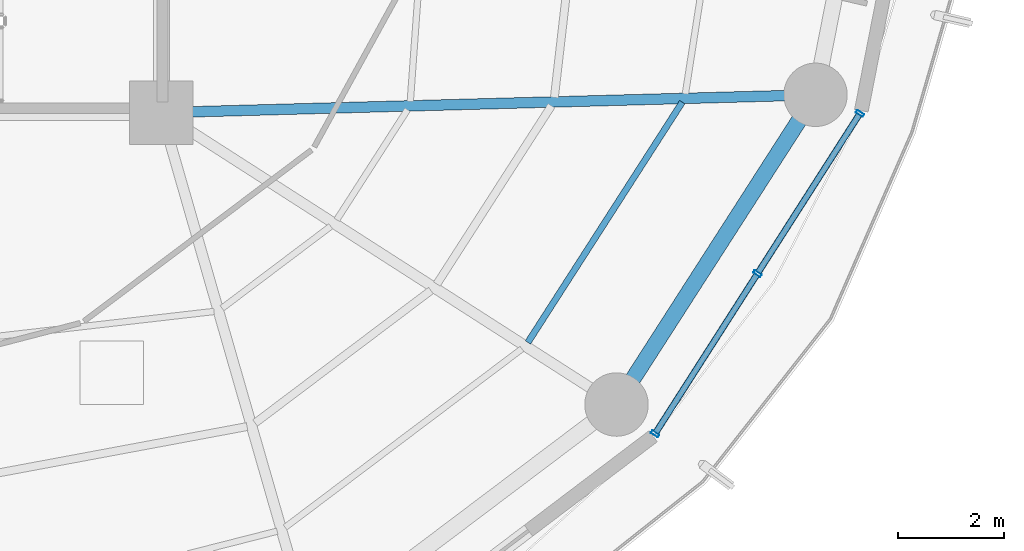
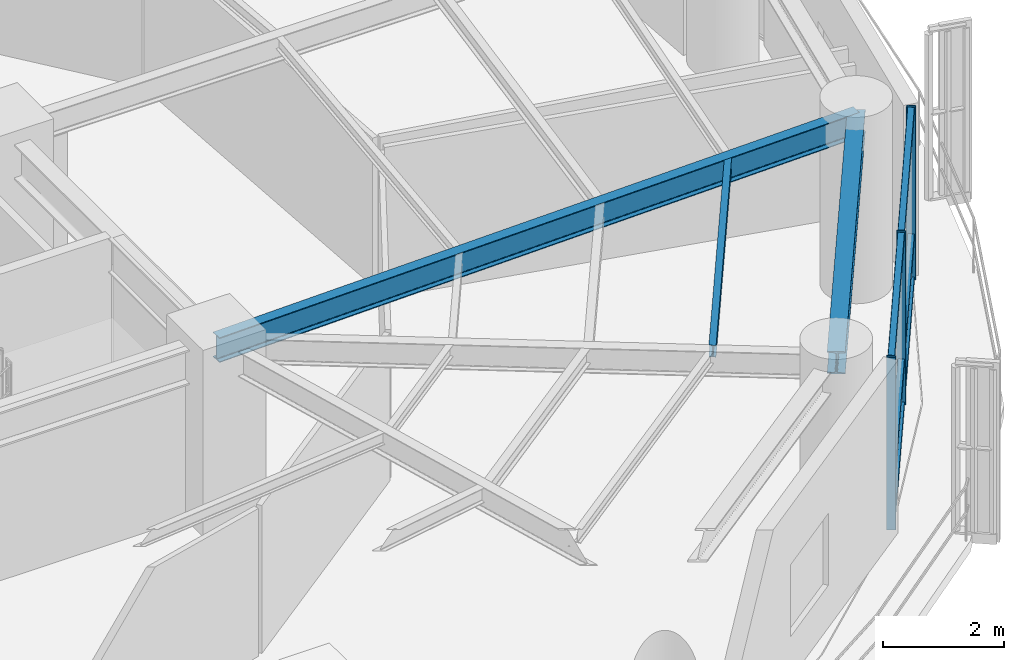
# One storey, part 11 of 27: 9 members, 3 beams, 1 element without a shape of its own.
"""IFC4 building model written with IfcOpenShell, lengths in metres."""

from ifc_helpers import new_model, si_unit, direction, frame, origin, origin_2d, place, context, subcontext, project, spatial, hollow_rectangle, i_section, extrude, material, layer, layer_set, material_profile, profile_set, type_object, element, aggregate, save


model = new_model("IFC4")

# Units and contexts
model_context = context("Model", 3, precision=1e-05, world=origin(), true_north=direction((0.0, 1.0)))
body_context = subcontext(model_context, "Body", "Model", "MODEL_VIEW")
ifc_project = project(units=[si_unit("LENGTHUNIT", "METRE"), si_unit("AREAUNIT", "SQUARE_METRE"), si_unit("VOLUMEUNIT", "CUBIC_METRE"), si_unit("PLANEANGLEUNIT", "RADIAN"), si_unit("MASSUNIT", "GRAM", prefix="KILO")], contexts=[model_context])

# Site, building, storey
site_placement = place(None, origin())
site = spatial("IfcSite", under=ifc_project, at=site_placement, CompositionType="ELEMENT")
building_placement = place(site_placement, origin())
building = spatial("IfcBuilding", under=site, at=building_placement, Name="Kelanora Arch Commons", CompositionType="ELEMENT")
storey_placement = place(building_placement, frame((0.0, 0.0, 146.85009765625)))
storey = spatial("IfcBuildingStorey", under=building, at=storey_placement, Name="L37", CompositionType="ELEMENT", Elevation=146.85009765625)

# Beams
ifc_material_1 = material(Name="Steel S355", Category="steel")
ifc_material_profile_1 = material_profile(ifc_material_1, i_section(OverallWidth=0.1201171875, OverallDepth=0.239990234375, WebThickness=0.006103515625, FlangeThickness=0.009765625, FilletRadius=0.014892578125, at=origin_2d()), Name="IPE240")
ifc_profile_set_1 = profile_set([ifc_material_profile_1], Name="Steel S355")
beam_type_1 = type_object("IfcBeamType", Name="BM-JST-02", PredefinedType="JOIST", material=ifc_profile_set_1)
beam_1_placement = place(storey_placement, frame((88.93212890625, 46.654296875, 3.369873046875), z_axis=(0.540581678156, 0.841291536414, 0.0), x_axis=(-0.841291536414, 0.540581678156, 0.0)))
element("IfcBeam", 1, at=beam_1_placement, inside=storey, type_object=beam_type_1, Name="Secondary Chord Joist BJC-32 L37", PredefinedType="JOIST", context=body_context, shape_type="SweptSolid", body=[
    extrude(i_section(OverallWidth=0.1201171875, OverallDepth=0.239990234375, WebThickness=0.006103515625, FlangeThickness=0.009765625, FilletRadius=0.014892578125, at=origin_2d()), origin(), (0.0, 0.0, 1.0), 5.4013671875),
])
ifc_material_profile_2 = material_profile(ifc_material_1, i_section(OverallWidth=0.199951171875, OverallDepth=0.5, WebThickness=0.01025390625, FlangeThickness=0.01611328125, FilletRadius=0.02099609375, at=origin_2d()), Name="IPE500")
ifc_profile_set_2 = profile_set([ifc_material_profile_2], Name="Steel S355")
beam_type_2 = type_object("IfcBeamType", Name="BM-RAD-Z3", PredefinedType="BEAM", material=ifc_profile_set_2)
beam_2_placement = place(storey_placement, frame((82.0, 51.0, 3.239990234375), z_axis=(0.999628374924, 0.027260081577, 0.0), x_axis=(-0.027260081577, 0.999628374924, 0.0)))
element("IfcBeam", 2, at=beam_2_placement, inside=storey, type_object=beam_type_2, Name="Radial Floor Girder BR-34 L37", PredefinedType="BEAM", context=body_context, shape_type="SweptSolid", body=[
    extrude(i_section(OverallWidth=0.199951171875, OverallDepth=0.5, WebThickness=0.01025390625, FlangeThickness=0.01611328125, FilletRadius=0.02099609375, at=origin_2d()), origin(), (0.0, 0.0, 1.0), 12.377197265625),
])
ifc_material_profile_3 = material_profile(ifc_material_1, i_section(OverallWidth=0.300048828125, OverallDepth=0.449951171875, WebThickness=0.013916015625, FlangeThickness=0.02587890625, FilletRadius=0.027099609375, at=origin_2d()), Name="HEB450")
ifc_profile_set_3 = profile_set([ifc_material_profile_3], Name="Steel S355")
beam_type_3 = type_object("IfcBeamType", Name="BM-SPN-Z3", PredefinedType="SPANDREL", material=ifc_profile_set_3)
beam_3_placement = place(storey_placement, frame((90.60791015625, 45.478515625, 3.264892578125), z_axis=(0.540576852469, 0.841294637196, 0.0), x_axis=(-0.841294637196, 0.540576852469, 0.0)))
element("IfcBeam", 3, at=beam_3_placement, inside=storey, type_object=beam_type_3, Name="Perimeter Spandrel Beam BS-32 L37", PredefinedType="SPANDREL", context=body_context, shape_type="SweptSolid", body=[
    extrude(i_section(OverallWidth=0.300048828125, OverallDepth=0.449951171875, WebThickness=0.013916015625, FlangeThickness=0.02587890625, FilletRadius=0.027099609375, at=origin_2d()), origin(), (0.0, 0.0, 1.0), 6.964111328125),
])

# Curtain wall, members
ifc_material_2 = material(Name="Terracotta ceramic-fritted low-E glass and aluminium", Category="masonry")
ifc_layer = layer(ifc_material_2, 0.175048828125)
ifc_layer_set = layer_set([ifc_layer], Name="Terracotta ceramic-fritted low-E glass and aluminium")
curtain_wall_type = type_object("IfcCurtainWallType", Name="CW-SYS-02", PredefinedType="NOTDEFINED", material=ifc_layer_set)
curtain_wall_placement = place(storey_placement, origin())
curtain_wall = element("IfcCurtainWall", 4, at=curtain_wall_placement, inside=storey, type_object=curtain_wall_type, Name="Unitised Curtain Wall L37-B16", PredefinedType="NOTDEFINED")
ifc_material_3 = material(Name="Powder-coated aluminium terracotta", Category="masonry")
ifc_material_profile_4 = material_profile(ifc_material_3, hollow_rectangle(XDim=0.159912109375, YDim=0.06005859375, WallThickness=0.0048828125, InnerFilletRadius=0.0048828125, OuterFilletRadius=0.010009765625, at=origin_2d()), Name="CWM160x60")
ifc_profile_set_4 = profile_set([ifc_material_profile_4], Name="Powder-coated aluminium terracotta")
member_type_1 = type_object("IfcMemberType", Name="CWM-STD", PredefinedType="MULLION", material=ifc_profile_set_4)
member_1_placement = place(storey_placement, frame((91.3369140625, 44.925048828125, 0.0), z_axis=(0.0, 0.0, 1.0), x_axis=(-0.842422846546, 0.538816988983, 0.0)))
member_1 = element("IfcMember", 5, at=member_1_placement, type_object=member_type_1, Name="CW-02 mullion 1", PredefinedType="MULLION", context=body_context, shape_type="SweptSolid", body=[
    extrude(hollow_rectangle(XDim=0.159912109375, YDim=0.06005859375, WallThickness=0.0048828125, InnerFilletRadius=0.0048828125, OuterFilletRadius=0.010009765625, at=origin_2d()), origin(), (0.0, 0.0, 1.0), 3.474853515625),
])
member_2_placement = place(storey_placement, frame((93.27490234375, 47.954833984375, 0.0), z_axis=(0.0, 0.0, 1.0), x_axis=(-0.842422846546, 0.538816988983, 0.0)))
member_2 = element("IfcMember", 6, at=member_2_placement, type_object=member_type_1, Name="CW-02 mullion 2", PredefinedType="MULLION", context=body_context, shape_type="SweptSolid", body=[
    extrude(hollow_rectangle(XDim=0.159912109375, YDim=0.06005859375, WallThickness=0.0048828125, InnerFilletRadius=0.0048828125, OuterFilletRadius=0.010009765625, at=origin_2d()), origin(), (0.0, 0.0, 1.0), 3.474853515625),
])
member_3_placement = place(storey_placement, frame((95.212890625, 50.98486328125, 0.0), z_axis=(0.0, 0.0, 1.0), x_axis=(-0.842422846546, 0.538816988983, 0.0)))
member_3 = element("IfcMember", 7, at=member_3_placement, type_object=member_type_1, Name="CW-02 mullion 3", PredefinedType="MULLION", context=body_context, shape_type="SweptSolid", body=[
    extrude(hollow_rectangle(XDim=0.159912109375, YDim=0.06005859375, WallThickness=0.0048828125, InnerFilletRadius=0.0048828125, OuterFilletRadius=0.010009765625, at=origin_2d()), origin(), (0.0, 0.0, 1.0), 3.474853515625),
])
ifc_material_profile_5 = material_profile(ifc_material_3, hollow_rectangle(XDim=0.1201171875, YDim=0.06005859375, WallThickness=0.0048828125, InnerFilletRadius=0.0048828125, OuterFilletRadius=0.010009765625, at=origin_2d()), Name="CWT120x60")
ifc_profile_set_5 = profile_set([ifc_material_profile_5], Name="Powder-coated aluminium terracotta")
member_type_2 = type_object("IfcMemberType", Name="CWT-STD", PredefinedType="USERDEFINED", material=ifc_profile_set_5)
member_4_placement = place(storey_placement, frame((91.35302734375, 44.9501953125, 0.02978515625), z_axis=(0.53883037555, 0.842414284295, 0.0), x_axis=(-0.842414284295, 0.53883037555, 0.0)))
member_4 = element("IfcMember", 8, at=member_4_placement, type_object=member_type_2, Name="CW-02 transom 1.1", ObjectType="TRANSOM", PredefinedType="USERDEFINED", context=body_context, shape_type="SweptSolid", body=[
    extrude(hollow_rectangle(XDim=0.1201171875, YDim=0.06005859375, WallThickness=0.0048828125, InnerFilletRadius=0.0048828125, OuterFilletRadius=0.010009765625, at=origin_2d()), origin(), (0.0, 0.0, 1.0), 3.536865234375),
])
member_5_placement = place(storey_placement, frame((91.35302734375, 44.9501953125, 0.89990234375), z_axis=(0.53883037555, 0.842414284295, 0.0), x_axis=(-0.842414284295, 0.53883037555, 0.0)))
member_5 = element("IfcMember", 9, at=member_5_placement, type_object=member_type_2, Name="CW-02 transom 1.2", ObjectType="TRANSOM", PredefinedType="USERDEFINED", context=body_context, shape_type="SweptSolid", body=[
    extrude(hollow_rectangle(XDim=0.1201171875, YDim=0.06005859375, WallThickness=0.0048828125, InnerFilletRadius=0.0048828125, OuterFilletRadius=0.010009765625, at=origin_2d()), origin(), (0.0, 0.0, 1.0), 3.536865234375),
])
member_6_placement = place(storey_placement, frame((91.35302734375, 44.9501953125, 3.44482421875), z_axis=(0.53883037555, 0.842414284295, 0.0), x_axis=(-0.842414284295, 0.53883037555, 0.0)))
member_6 = element("IfcMember", 10, at=member_6_placement, type_object=member_type_2, Name="CW-02 transom 1.3", ObjectType="TRANSOM", PredefinedType="USERDEFINED", context=body_context, shape_type="SweptSolid", body=[
    extrude(hollow_rectangle(XDim=0.1201171875, YDim=0.06005859375, WallThickness=0.0048828125, InnerFilletRadius=0.0048828125, OuterFilletRadius=0.010009765625, at=origin_2d()), origin(), (0.0, 0.0, 1.0), 3.536865234375),
])
member_7_placement = place(storey_placement, frame((93.291015625, 47.980224609375, 0.02978515625), z_axis=(0.53883037555, 0.842414284295, 0.0), x_axis=(-0.842414284295, 0.53883037555, 0.0)))
member_7 = element("IfcMember", 11, at=member_7_placement, type_object=member_type_2, Name="CW-02 transom 2.1", ObjectType="TRANSOM", PredefinedType="USERDEFINED", context=body_context, shape_type="SweptSolid", body=[
    extrude(hollow_rectangle(XDim=0.1201171875, YDim=0.06005859375, WallThickness=0.0048828125, InnerFilletRadius=0.0048828125, OuterFilletRadius=0.010009765625, at=origin_2d()), origin(), (0.0, 0.0, 1.0), 3.536865234375),
])
member_8_placement = place(storey_placement, frame((93.291015625, 47.980224609375, 0.89990234375), z_axis=(0.53883037555, 0.842414284295, 0.0), x_axis=(-0.842414284295, 0.53883037555, 0.0)))
member_8 = element("IfcMember", 12, at=member_8_placement, type_object=member_type_2, Name="CW-02 transom 2.2", ObjectType="TRANSOM", PredefinedType="USERDEFINED", context=body_context, shape_type="SweptSolid", body=[
    extrude(hollow_rectangle(XDim=0.1201171875, YDim=0.06005859375, WallThickness=0.0048828125, InnerFilletRadius=0.0048828125, OuterFilletRadius=0.010009765625, at=origin_2d()), origin(), (0.0, 0.0, 1.0), 3.536865234375),
])
member_9_placement = place(storey_placement, frame((93.291015625, 47.980224609375, 3.44482421875), z_axis=(0.53883037555, 0.842414284295, 0.0), x_axis=(-0.842414284295, 0.53883037555, 0.0)))
member_9 = element("IfcMember", 13, at=member_9_placement, type_object=member_type_2, Name="CW-02 transom 2.3", ObjectType="TRANSOM", PredefinedType="USERDEFINED", context=body_context, shape_type="SweptSolid", body=[
    extrude(hollow_rectangle(XDim=0.1201171875, YDim=0.06005859375, WallThickness=0.0048828125, InnerFilletRadius=0.0048828125, OuterFilletRadius=0.010009765625, at=origin_2d()), origin(), (0.0, 0.0, 1.0), 3.536865234375),
])
aggregate(curtain_wall, [member_1, member_2, member_3, member_4, member_5, member_6, member_7, member_8, member_9])

save(model, "model.ifc")
